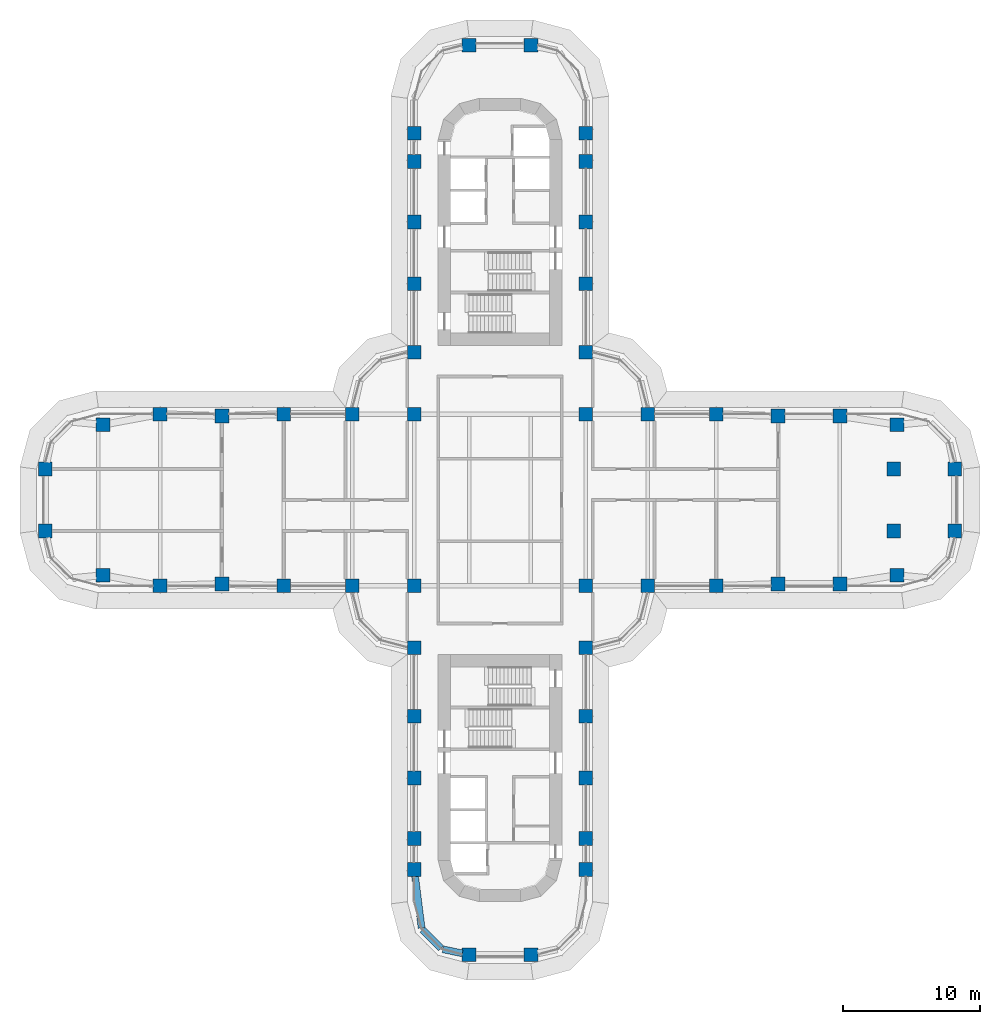
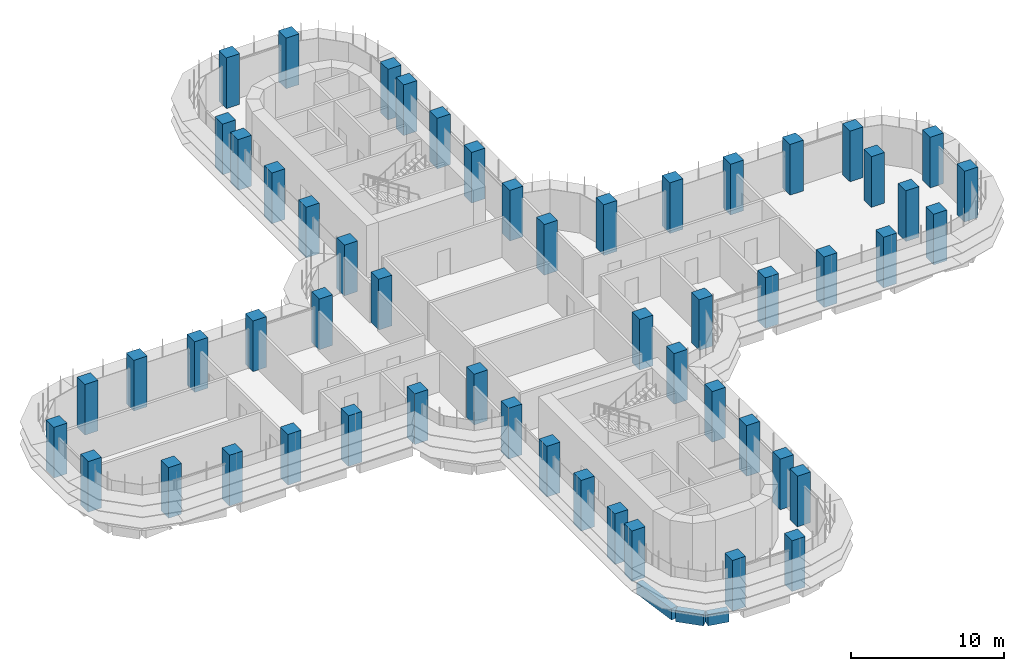
# One storey, part 1 of 23: 54 columns, 3 beams.
"""IFC4 building model written with IfcOpenShell, lengths in metres."""

from ifc_helpers import new_model, si_unit, direction, frame, origin, origin_2d, place, context, subcontext, project, spatial, rectangle, extrude, material, material_profile, profile_set, type_object, element, save


model = new_model("IFC4")

# Units and contexts
model_context = context("Model", 3, precision=1e-05, world=origin(), true_north=direction((0.0, 1.0)))
body_context = subcontext(model_context, "Body", "Model", "MODEL_VIEW")
ifc_project = project(units=[si_unit("LENGTHUNIT", "METRE"), si_unit("AREAUNIT", "SQUARE_METRE"), si_unit("VOLUMEUNIT", "CUBIC_METRE"), si_unit("PLANEANGLEUNIT", "RADIAN"), si_unit("MASSUNIT", "GRAM", prefix="KILO")], contexts=[model_context])

# Site, building, storey
site_placement = place(None, origin())
site = spatial("IfcSite", under=ifc_project, at=site_placement, CompositionType="ELEMENT")
building_placement = place(site_placement, origin())
building = spatial("IfcBuilding", under=site, at=building_placement, Name="Zarbagh Exchange Tower", CompositionType="ELEMENT")
storey_placement = place(building_placement, frame((0.0, 0.0, 39.60009765625)))
storey = spatial("IfcBuildingStorey", under=building, at=storey_placement, Name="L08", CompositionType="ELEMENT", Elevation=39.60009765625)

# Columns
ifc_material = material(Name="Concrete C60/75", Category="concrete")
ifc_material_profile_1 = material_profile(ifc_material, rectangle(XDim=1.0, YDim=1.0, at=origin_2d()), Name="RC column 1000 x 1000 C60/75")
ifc_profile_set_1 = profile_set([ifc_material_profile_1], Name="Concrete C60/75")
column_type = type_object("IfcColumnType", Name="RC column 1000 x 1000 C60/75", PredefinedType="COLUMN", material=ifc_profile_set_1)
for number, where, z_axis, x_axis, name in (
    (1, (-33.110107421875, -2.25, 0.0), (0.0, 0.0, 1.0), (1.0, 0.0, 0.0), "C2 10/S"),
    (2, (-33.110107421875, 2.25, 0.0), (0.0, 0.0, 1.0), (1.0, 0.0, 0.0), "C2 10/T"),
    (3, (-28.907958984375, -5.47509765625, 0.0), (0.0, 0.0, 1.0), (1.0, 0.0, 0.0), "C2 11/R"),
    (4, (-28.907958984375, 5.47509765625, 0.0), (0.0, 0.0, 1.0), (1.0, 0.0, 0.0), "C2 11/U"),
    (5, (-24.75, -6.25, 0.0), (0.0, 0.0, 1.0), (1.0, 0.0, 0.0), "C2 12/R"),
    (6, (-24.75, 6.25, 0.0), (0.0, 0.0, 1.0), (1.0, 0.0, 0.0), "C2 12/U"),
    (7, (-20.25, -6.110107421875, 0.0), (0.0, 0.0, 1.0), (1.0, 0.0, 0.0), "C2 13/R"),
    (8, (-20.25, 6.110107421875, 0.0), (0.0, 0.0, 1.0), (1.0, 0.0, 0.0), "C2 13/U"),
    (9, (-15.75, -6.25, 0.0), (0.0, 0.0, 1.0), (1.0, 0.0, 0.0), "C2 14/R"),
    (10, (-15.75, 6.25, 0.0), (0.0, 0.0, 1.0), (1.0, 0.0, 0.0), "C2 14/U"),
    (11, (-10.75, -6.25, 0.0), (0.0, 0.0, 1.0), (1.0, 0.0, 0.0), "C2 15/R"),
    (12, (-10.75, 6.25, 0.0), (0.0, 0.0, 1.0), (1.0, 0.0, 0.0), "C2 15/U"),
    (13, (-6.25, -26.89990234375, 0.0), (0.0, 0.0, 1.0), (1.0, 0.0, 0.0), "C2 16/L"),
    (14, (-6.25, -24.64990234375, 0.0), (0.0, 0.0, 1.0), (1.0, 0.0, 0.0), "C2 16/M"),
    (15, (-6.25, -20.25, 0.0), (0.0, 0.0, 1.0), (1.0, 0.0, 0.0), "C2 16/N"),
    (16, (-6.25, -15.75, 0.0), (0.0, 0.0, 1.0), (1.0, 0.0, 0.0), "C2 16/P"),
    (17, (-6.25, -10.75, 0.0), (0.0, 0.0, 1.0), (1.0, 0.0, 0.0), "C2 16/Q"),
    (18, (-6.25, -6.25, 0.0), (0.0, 0.0, 1.0), (1.0, 0.0, 0.0), "C2 16/R"),
    (19, (-6.25, 6.25, 0.0), (0.0, 0.0, 1.0), (1.0, 0.0, 0.0), "C2 16/U"),
    (20, (-6.25, 10.75, 0.0), (0.0, 0.0, 1.0), (1.0, 0.0, 0.0), "C2 16/V"),
    (21, (-6.25, 15.75, 0.0), (0.0, 0.0, 1.0), (1.0, 0.0, 0.0), "C2 16/W"),
    (22, (-6.25, 20.25, 0.0), (0.0, 0.0, 1.0), (1.0, 0.0, 0.0), "C2 16/X"),
    (23, (-6.25, 24.64990234375, 0.0), (0.0, 0.0, 1.0), (1.0, 0.0, 0.0), "C2 16/Y"),
    (24, (-6.25, 26.699951171875, 0.0), (0.0, 0.0, 1.0), (1.0, 0.0, 0.0), "C2 16/Z"),
    (25, (-2.25, -33.110107421875, 0.0), (0.0, 0.0, 1.0), (1.0, 0.0, 0.0), "C2 17/K"),
    (26, (-2.25, 33.110107421875, 0.0), (0.0, 0.0, 1.0), (1.0, 0.0, 0.0), "C2 17/AA"),
    (27, (2.25, -33.110107421875, 0.0), (0.0, 0.0, 1.0), (1.0, 0.0, 0.0), "C2 18/K"),
    (28, (2.25, 33.110107421875, 0.0), (0.0, 0.0, 1.0), (1.0, 0.0, 0.0), "C2 18/AA"),
    (29, (6.25, -26.89990234375, 0.0), (0.0, 0.0, 1.0), (1.0, 0.0, 0.0), "C2 19/L"),
    (30, (6.25, -24.64990234375, 0.0), (0.0, 0.0, 1.0), (1.0, 0.0, 0.0), "C2 19/M"),
    (31, (6.25, -20.25, 0.0), (0.0, 0.0, 1.0), (1.0, 0.0, 0.0), "C2 19/N"),
    (32, (6.25, -15.75, 0.0), (0.0, 0.0, 1.0), (1.0, 0.0, 0.0), "C2 19/P"),
    (33, (6.25, -10.75, 0.0), (0.0, 0.0, 1.0), (1.0, 0.0, 0.0), "C2 19/Q"),
    (34, (6.25, -6.25, 0.0), (0.0, 0.0, 1.0), (1.0, 0.0, 0.0), "C2 19/R"),
    (35, (6.25, 6.25, 0.0), (0.0, 0.0, 1.0), (1.0, 0.0, 0.0), "C2 19/U"),
    (36, (6.25, 10.75, 0.0), (0.0, 0.0, 1.0), (1.0, 0.0, 0.0), "C2 19/V"),
    (37, (6.25, 15.75, 0.0), (0.0, 0.0, 1.0), (1.0, 0.0, 0.0), "C2 19/W"),
    (38, (6.25, 20.25, 0.0), (0.0, 0.0, 1.0), (1.0, 0.0, 0.0), "C2 19/X"),
    (39, (6.25, 24.64990234375, 0.0), (0.0, 0.0, 1.0), (1.0, 0.0, 0.0), "C2 19/Y"),
    (40, (6.25, 26.699951171875, 0.0), (0.0, 0.0, 1.0), (1.0, 0.0, 0.0), "C2 19/Z"),
    (41, (10.75, -6.25, 0.0), (0.0, 0.0, 1.0), (1.0, 0.0, 0.0), "C2 20/R"),
    (42, (10.75, 6.25, 0.0), (0.0, 0.0, 1.0), (1.0, 0.0, 0.0), "C2 20/U"),
    (43, (15.75, -6.25, 0.0), (0.0, 0.0, 1.0), (1.0, 0.0, 0.0), "C2 21/R"),
    (44, (15.75, 6.25, 0.0), (0.0, 0.0, 1.0), (1.0, 0.0, 0.0), "C2 21/U"),
    (45, (20.25, -6.110107421875, 0.0), (0.0, 0.0, 1.0), (1.0, 0.0, 0.0), "C2 22/R"),
    (46, (20.25, 6.110107421875, 0.0), (0.0, 0.0, 1.0), (1.0, 0.0, 0.0), "C2 22/U"),
    (47, (24.75, -6.110107421875, 0.0), (0.0, 0.0, 1.0), (1.0, 0.0, 0.0), "C2 23/R"),
    (48, (24.75, 6.110107421875, 0.0), (0.0, 0.0, 1.0), (1.0, 0.0, 0.0), "C2 23/U"),
    (49, (28.907958984375, -5.47509765625, 0.0), (0.0, 0.0, 1.0), (1.0, 0.0, 0.0), "C2 24/R"),
    (50, (28.669921875, -2.25, 0.0), (0.0, 0.0, 1.0), (1.0, 0.0, 0.0), "C2 24/S"),
    (51, (28.669921875, 2.25, 0.0), (0.0, 0.0, 1.0), (1.0, 0.0, 0.0), "C2 24/T"),
    (52, (28.907958984375, 5.47509765625, 0.0), (0.0, 0.0, 1.0), (1.0, 0.0, 0.0), "C2 24/U"),
    (53, (33.110107421875, -2.25, 0.0), (0.0, 0.0, 1.0), (1.0, 0.0, 0.0), "C2 25/S"),
    (54, (33.110107421875, 2.25, 0.0), (0.0, 0.0, 1.0), (1.0, 0.0, 0.0), "C2 25/T"),
):
    element("IfcColumn", number, at=place(storey_placement, frame(where, z_axis=z_axis, x_axis=x_axis)), inside=storey, type_object=column_type, Name=name, PredefinedType="COLUMN", context=body_context, shape_type="SweptSolid", body=[
        extrude(rectangle(XDim=1.0, YDim=1.0, at=origin_2d()), origin(), (0.0, 0.0, 1.0), 4.0498046875),
    ])

# Beams
ifc_material_profile_2 = material_profile(ifc_material, rectangle(XDim=0.5, YDim=0.89990234375, at=origin_2d()), Name="RC spandrel beam 500 x 900 C60/75")
ifc_profile_set_2 = profile_set([ifc_material_profile_2], Name="Concrete C60/75")
beam_type = type_object("IfcBeamType", Name="RC spandrel beam 500 x 900 C60/75", PredefinedType="SPANDREL", material=ifc_profile_set_2)
beam_1_placement = place(storey_placement, frame((-2.73974609375, -33.0087890625, -0.60009765625), z_axis=(-0.9793713725, 0.202068589164, 0.0), x_axis=(-0.202068589164, -0.9793713725, 0.0)))
element("IfcBeam", 55, at=beam_1_placement, inside=storey, type_object=beam_type, Name="RC spandrel beam", PredefinedType="SPANDREL", context=body_context, shape_type="SweptSolid", body=[
    extrude(rectangle(XDim=0.5, YDim=0.89990234375, at=origin_2d()), origin(), (0.0, 0.0, 1.0), 1.458251953125),
])
beam_2_placement = place(storey_placement, frame((-4.294189453125, -32.64599609375, -0.60009765625), z_axis=(-0.707042571718, 0.707170984825, 0.0), x_axis=(-0.707170984825, -0.707042571718, 0.0)))
element("IfcBeam", 56, at=beam_2_placement, inside=storey, type_object=beam_type, Name="RC spandrel beam", PredefinedType="SPANDREL", context=body_context, shape_type="SweptSolid", body=[
    extrude(rectangle(XDim=0.5, YDim=0.89990234375, at=origin_2d()), origin(), (0.0, 0.0, 1.0), 1.901123046875),
])
beam_3_placement = place(storey_placement, frame((-5.709716796875, -31.156494140625, -0.60009765625), z_axis=(-0.12591317752, 0.992041265133, 0.0), x_axis=(-0.992041265133, -0.12591317752, 0.0)))
element("IfcBeam", 57, at=beam_3_placement, inside=storey, type_object=beam_type, Name="RC spandrel beam", PredefinedType="SPANDREL", context=body_context, shape_type="SweptSolid", body=[
    extrude(rectangle(XDim=0.5, YDim=0.89990234375, at=origin_2d()), origin(), (0.0, 0.0, 1.0), 3.790771484375),
])

save(model, "model.ifc")
